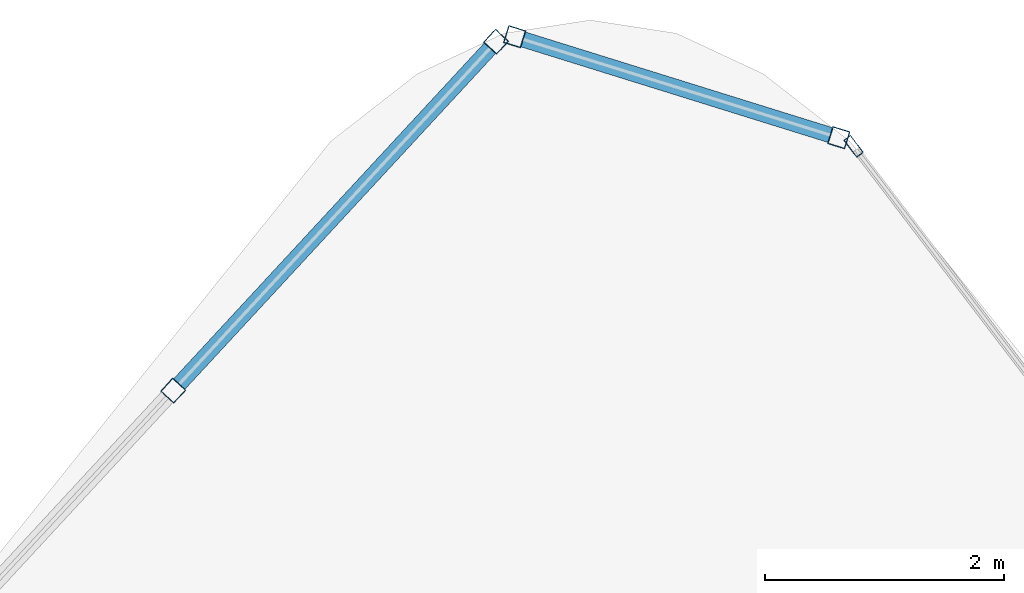
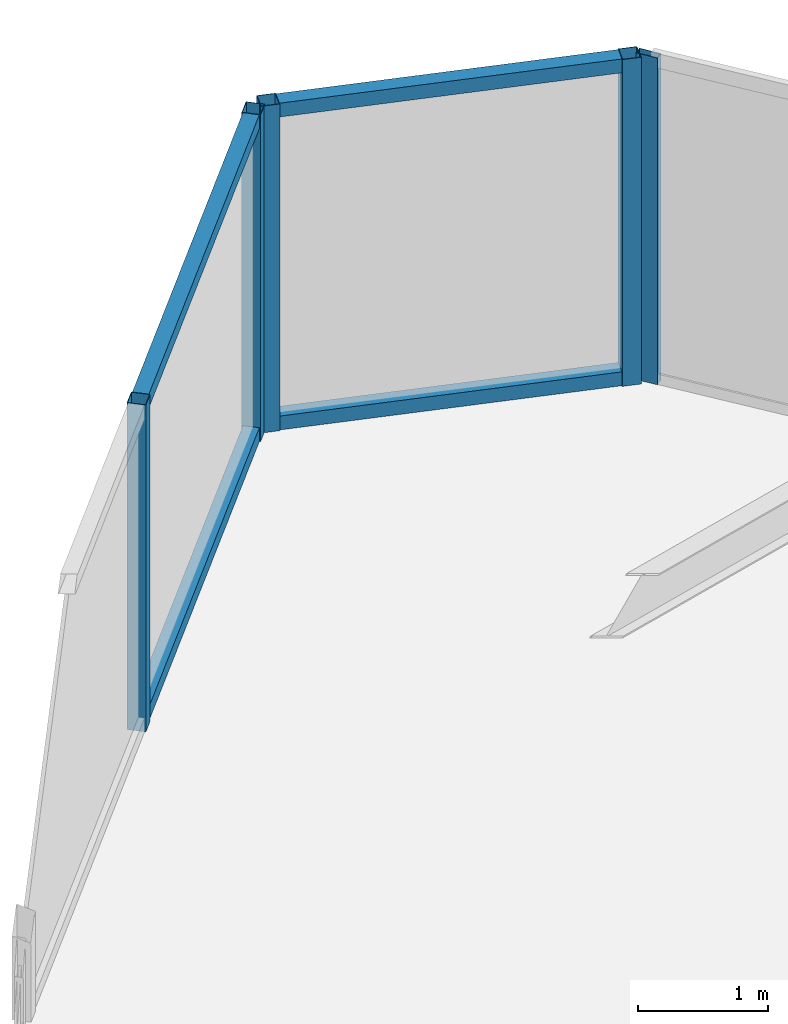
# One storey, part 25 of 35: 9 members, 3 elements without a shape of their own.
"""IFC4 building model written with IfcOpenShell, lengths in metres."""

from ifc_helpers import new_model, si_unit, direction, frame, origin, origin_2d, place, context, subcontext, project, spatial, hollow_rectangle, extrude, material, layer, layer_set, material_profile, profile_set, type_object, element, aggregate, save


model = new_model("IFC4")

# Units and contexts
model_context = context("Model", 3, precision=1e-05, world=origin(), true_north=direction((0.0, 1.0)))
body_context = subcontext(model_context, "Body", "Model", "MODEL_VIEW")
ifc_project = project(units=[si_unit("LENGTHUNIT", "METRE"), si_unit("AREAUNIT", "SQUARE_METRE"), si_unit("VOLUMEUNIT", "CUBIC_METRE"), si_unit("PLANEANGLEUNIT", "RADIAN"), si_unit("MASSUNIT", "GRAM", prefix="KILO")], contexts=[model_context])

# Site, building, storey
site_placement = place(None, origin())
site = spatial("IfcSite", under=ifc_project, at=site_placement, CompositionType="ELEMENT")
building_placement = place(site_placement, origin())
building = spatial("IfcBuilding", under=site, at=building_placement, Name="Orvanel Arch Residences", CompositionType="ELEMENT")
storey_placement = place(building_placement, frame((0.0, 0.0, 33.5)))
storey = spatial("IfcBuildingStorey", under=building, at=storey_placement, Name="L08", CompositionType="ELEMENT", Elevation=33.5)

# Curtain wall, members
ifc_material = material(Name="Bronze-anodised aluminium AA6063-T6", Category="aluminium")
ifc_layer_1 = layer(ifc_material, 0.18994140625)
ifc_layer_set_1 = layer_set([ifc_layer_1], Name="Bronze-anodised aluminium AA6063-T6")
curtain_wall_type_1 = type_object("IfcCurtainWallType", Name="CW5-CRN-SYS", PredefinedType="NOTDEFINED", material=ifc_layer_set_1)
curtain_wall_1_placement = place(storey_placement, origin())
curtain_wall_1 = element("IfcCurtainWall", 1, at=curtain_wall_1_placement, inside=storey, type_object=curtain_wall_type_1, Name="L08 CW5-CRN-SYS Unitised Curtain Wall", PredefinedType="NOTDEFINED")
ifc_material_profile_1 = material_profile(ifc_material, hollow_rectangle(XDim=0.14990234375, YDim=0.14990234375, WallThickness=0.0048828125, at=origin_2d()), Name="ALU150x150x5")
ifc_profile_set_1 = profile_set([ifc_material_profile_1], Name="Bronze-anodised aluminium AA6063-T6")
member_type_1 = type_object("IfcMemberType", Name="MUL-150x150", PredefinedType="MULLION", material=ifc_profile_set_1)
member_1_placement = place(storey_placement, frame((35.081298828125, 51.486328125, 0.0), z_axis=(0.0, 0.0, 1.0), x_axis=(-0.297323751443, -0.954776720929, 0.0)))
member_1 = element("IfcMember", 2, at=member_1_placement, type_object=member_type_1, Name="CW-S5 mullion 1", PredefinedType="MULLION", context=body_context, shape_type="SweptSolid", body=[
    extrude(hollow_rectangle(XDim=0.14990234375, YDim=0.14990234375, WallThickness=0.0048828125, at=origin_2d()), origin(), (0.0, 0.0, 1.0), 3.06005859375),
])
member_2_placement = place(storey_placement, frame((32.36669921875, 52.331787109375, 0.0), z_axis=(0.0, 0.0, 1.0), x_axis=(-0.297323751443, -0.954776720929, 0.0)))
member_2 = element("IfcMember", 3, at=member_2_placement, type_object=member_type_1, Name="CW-S5 mullion 2", PredefinedType="MULLION", context=body_context, shape_type="SweptSolid", body=[
    extrude(hollow_rectangle(XDim=0.14990234375, YDim=0.14990234375, WallThickness=0.0048828125, at=origin_2d()), origin(), (0.0, 0.0, 1.0), 3.06005859375),
])

curtain_wall_2_placement = place(storey_placement, origin())
curtain_wall_2 = element("IfcCurtainWall", 4, at=curtain_wall_2_placement, inside=storey, type_object=curtain_wall_type_1, Name="L08 CW5-CRN-SYS Unitised Curtain Wall", PredefinedType="NOTDEFINED")
member_3_placement = place(storey_placement, frame((32.211181640625, 52.2900390625, 0.0), z_axis=(0.0, 0.0, 1.0), x_axis=(0.734004180621, -0.679144949794, 0.0)))
member_3 = element("IfcMember", 5, at=member_3_placement, type_object=member_type_1, Name="CW-S5 mullion 1", PredefinedType="MULLION", context=body_context, shape_type="SweptSolid", body=[
    extrude(hollow_rectangle(XDim=0.14990234375, YDim=0.14990234375, WallThickness=0.0048828125, at=origin_2d()), origin(), (0.0, 0.0, 1.0), 3.06005859375),
])
member_4_placement = place(storey_placement, frame((29.507568359375, 49.367919921875, 0.0), z_axis=(0.0, 0.0, 1.0), x_axis=(0.734004180621, -0.679144949794, 0.0)))
member_4 = element("IfcMember", 6, at=member_4_placement, type_object=member_type_1, Name="CW-S5 mullion 2", PredefinedType="MULLION", context=body_context, shape_type="SweptSolid", body=[
    extrude(hollow_rectangle(XDim=0.14990234375, YDim=0.14990234375, WallThickness=0.0048828125, at=origin_2d()), origin(), (0.0, 0.0, 1.0), 3.06005859375),
])

# Curtain wall, member
ifc_layer_2 = layer(ifc_material, 0.179931640625)
ifc_layer_set_2 = layer_set([ifc_layer_2], Name="Bronze-anodised aluminium AA6063-T6")
curtain_wall_type_2 = type_object("IfcCurtainWallType", Name="CW2-LOW-SYS", PredefinedType="NOTDEFINED", material=ifc_layer_set_2)
curtain_wall_3_placement = place(storey_placement, origin())
curtain_wall_3 = element("IfcCurtainWall", 7, at=curtain_wall_3_placement, inside=storey, type_object=curtain_wall_type_2, Name="L08 CW2-LOW-SYS Unitised Curtain Wall", PredefinedType="NOTDEFINED")
ifc_material_profile_2 = material_profile(ifc_material, hollow_rectangle(XDim=0.070068359375, YDim=0.179931640625, WallThickness=0.00439453125, at=origin_2d()), Name="ALU180x70x4.5")
ifc_profile_set_2 = profile_set([ifc_material_profile_2], Name="Bronze-anodised aluminium AA6063-T6")
member_type_2 = type_object("IfcMemberType", Name="MUL-180x70", PredefinedType="MULLION", material=ifc_profile_set_2)
member_5_placement = place(storey_placement, frame((35.205322265625, 51.4140625, 0.0), z_axis=(0.0, 0.0, 1.0), x_axis=(-0.795451769988, -0.606016898793, 0.0)))
member_5 = element("IfcMember", 8, at=member_5_placement, type_object=member_type_2, Name="CW-S2 mullion 4", PredefinedType="MULLION", context=body_context, shape_type="SweptSolid", body=[
    extrude(hollow_rectangle(XDim=0.070068359375, YDim=0.179931640625, WallThickness=0.00439453125, at=origin_2d()), origin(), (0.0, 0.0, 1.0), 3.06005859375),
])
aggregate(curtain_wall_3, [member_5])

# Member
ifc_material_profile_3 = material_profile(ifc_material, hollow_rectangle(XDim=0.1298828125, YDim=0.1298828125, WallThickness=0.00439453125, at=origin_2d()), Name="ALU130x130x4.5")
ifc_profile_set_3 = profile_set([ifc_material_profile_3], Name="Bronze-anodised aluminium AA6063-T6")
member_type_3 = type_object("IfcMemberType", Name="TRN-130x130", PredefinedType="USERDEFINED", material=ifc_profile_set_3)
member_6_placement = place(storey_placement, frame((35.009765625, 51.508544921875, 0.06494140625), z_axis=(-0.954777891398, 0.297319992764, 0.0), x_axis=(-0.297319992764, -0.954777891398, 0.0)))
member_6 = element("IfcMember", 9, at=member_6_placement, type_object=member_type_3, Name="CW-S5 transom 1.1", ObjectType="TRANSOM", PredefinedType="USERDEFINED", context=body_context, shape_type="SweptSolid", body=[
    extrude(hollow_rectangle(XDim=0.1298828125, YDim=0.1298828125, WallThickness=0.00439453125, at=origin_2d()), origin(), (0.0, 0.0, 1.0), 2.693359375),
])

member_7_placement = place(storey_placement, frame((35.009765625, 51.508544921875, 2.9951171875), z_axis=(-0.954777891398, 0.297319992764, 0.0), x_axis=(-0.297319992764, -0.954777891398, 0.0)))
member_7 = element("IfcMember", 10, at=member_7_placement, type_object=member_type_3, Name="CW-S5 transom 1.2", ObjectType="TRANSOM", PredefinedType="USERDEFINED", context=body_context, shape_type="SweptSolid", body=[
    extrude(hollow_rectangle(XDim=0.1298828125, YDim=0.1298828125, WallThickness=0.00439453125, at=origin_2d()), origin(), (0.0, 0.0, 1.0), 2.693359375),
])

aggregate(curtain_wall_1, [member_1, member_2, member_6, member_7])

member_8_placement = place(storey_placement, frame((32.16015625, 52.23486328125, 0.06494140625), z_axis=(-0.679171620665, -0.733979502223, 0.0), x_axis=(0.733979502223, -0.679171620665, 0.0)))
member_8 = element("IfcMember", 11, at=member_8_placement, type_object=member_type_3, Name="CW-S5 transom 1.1", ObjectType="TRANSOM", PredefinedType="USERDEFINED", context=body_context, shape_type="SweptSolid", body=[
    extrude(hollow_rectangle(XDim=0.1298828125, YDim=0.1298828125, WallThickness=0.00439453125, at=origin_2d()), origin(), (0.0, 0.0, 1.0), 3.830810546875),
])

member_9_placement = place(storey_placement, frame((32.16015625, 52.23486328125, 2.9951171875), z_axis=(-0.679171620665, -0.733979502223, 0.0), x_axis=(0.733979502223, -0.679171620665, 0.0)))
member_9 = element("IfcMember", 12, at=member_9_placement, type_object=member_type_3, Name="CW-S5 transom 1.2", ObjectType="TRANSOM", PredefinedType="USERDEFINED", context=body_context, shape_type="SweptSolid", body=[
    extrude(hollow_rectangle(XDim=0.1298828125, YDim=0.1298828125, WallThickness=0.00439453125, at=origin_2d()), origin(), (0.0, 0.0, 1.0), 3.830810546875),
])

aggregate(curtain_wall_2, [member_3, member_4, member_8, member_9])

save(model, "model.ifc")
